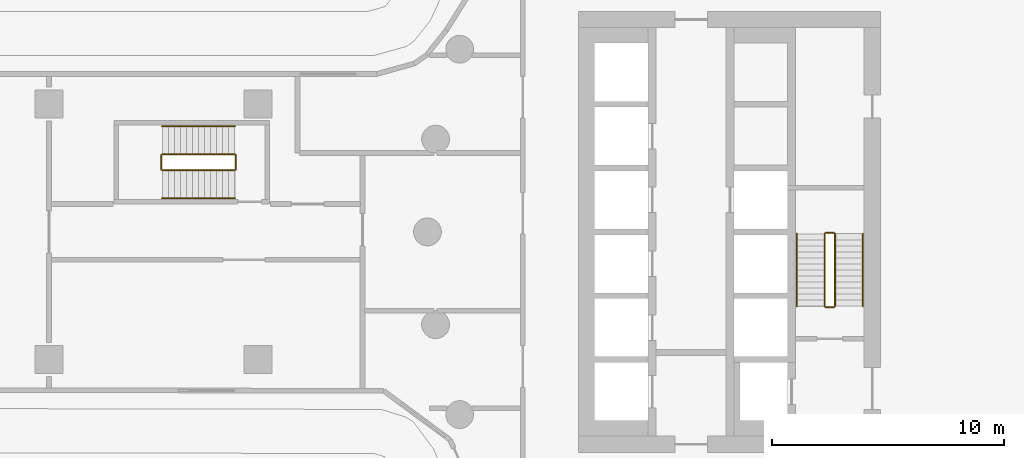
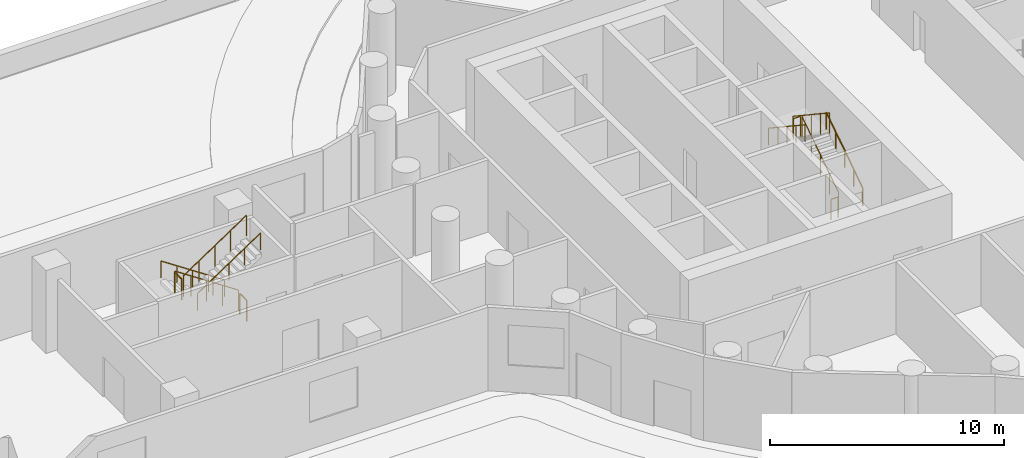
# One storey, part 32 of 37: 12 railings.
"""IFC4 building model written with IfcOpenShell, lengths in metres."""

from ifc_helpers import new_model, si_unit, direction, frame, origin, origin_2d, place, context, subcontext, project, spatial, circle, extrude, material, type_object, element, save


model = new_model("IFC4")

# Units and contexts
model_context = context("Model", 3, precision=1e-05, world=origin(), true_north=direction((0.0, 1.0)))
body_context = subcontext(model_context, "Body", "Model", "MODEL_VIEW")
ifc_project = project(units=[si_unit("LENGTHUNIT", "METRE"), si_unit("AREAUNIT", "SQUARE_METRE"), si_unit("VOLUMEUNIT", "CUBIC_METRE"), si_unit("PLANEANGLEUNIT", "RADIAN"), si_unit("MASSUNIT", "GRAM", prefix="KILO")], contexts=[model_context])

# Site, building, storey
site_placement = place(None, origin())
site = spatial("IfcSite", under=ifc_project, at=site_placement, CompositionType="ELEMENT")
building_placement = place(site_placement, origin())
building = spatial("IfcBuilding", under=site, at=building_placement, Name="Tamarind Cross Interchange Tower", CompositionType="ELEMENT")
storey_placement = place(building_placement, frame((0.0, 0.0, 29.5)))
storey = spatial("IfcBuildingStorey", under=building, at=storey_placement, Name="L05", CompositionType="ELEMENT", Elevation=29.5)

# Railings
ifc_material_1 = material(Name="Stair guard")
railing_type_1 = type_object("IfcRailingType", Name="Stair guard", PredefinedType="GUARDRAIL", material=ifc_material_1)
railing_1_placement = place(storey_placement, frame((-5.449951171875, -3.199951171875, 0.173095703125)))
element("IfcRailing", 1, at=railing_1_placement, inside=storey, type_object=railing_type_1, Name="L05 ST1 stair guard 1", PredefinedType="GUARDRAIL", context=body_context, shape_type="SweptSolid", body=[
    extrude(circle(Radius=0.02392578125, at=origin_2d()), frame((0.0, 0.0, 1.076171875), z_axis=(0.0, 0.832420903958, 0.554143879018), x_axis=(-1.0, 0.0, 0.0)), (0.0, 0.0, 1.0), 3.748046875),
    extrude(circle(Radius=0.02099609375, at=origin_2d()), origin(), (0.0, 0.0, 1.0), 1.052001953125),
    extrude(circle(Radius=0.02099609375, at=origin_2d()), frame((0.0, 0.780029296875, 0.519287109375)), (0.0, 0.0, 1.0), 1.052001953125),
    extrude(circle(Radius=0.02099609375, at=origin_2d()), frame((0.0, 1.56005859375, 1.03857421875)), (0.0, 0.0, 1.0), 1.052001953125),
    extrude(circle(Radius=0.02099609375, at=origin_2d()), frame((0.0, 2.33984375, 1.5576171875)), (0.0, 0.0, 1.0), 1.052001953125),
    extrude(circle(Radius=0.02099609375, at=origin_2d()), frame((0.0, 3.119873046875, 2.076904296875)), (0.0, 0.0, 1.0), 1.052001953125),
])
railing_2_placement = place(storey_placement, frame((-5.5, -0.030029296875, 2.25)))
element("IfcRailing", 2, at=railing_2_placement, inside=storey, type_object=railing_type_1, Name="L05 ST1 stair guard 2", PredefinedType="GUARDRAIL", context=body_context, shape_type="SweptSolid", body=[
    extrude(circle(Radius=0.02392578125, at=origin_2d()), frame((0.0, 0.0, 1.076171875), z_axis=(-1.0, 0.0, 0.0), x_axis=(0.0, -1.0, 0.0)), (0.0, 0.0, 1.0), 0.35009765625),
    extrude(circle(Radius=0.02099609375, at=origin_2d()), origin(), (0.0, 0.0, 1.0), 1.052001953125),
    extrude(circle(Radius=0.02099609375, at=origin_2d()), frame((-0.35009765625, 0.0, 0.0)), (0.0, 0.0, 1.0), 1.052001953125),
])
railing_3_placement = place(storey_placement, frame((-5.89990234375, -0.080078125, 2.423095703125)))
element("IfcRailing", 3, at=railing_3_placement, inside=storey, type_object=railing_type_1, Name="L05 ST1 stair guard 3", PredefinedType="GUARDRAIL", context=body_context, shape_type="SweptSolid", body=[
    extrude(circle(Radius=0.02392578125, at=origin_2d()), frame((0.0, 0.0, 1.076171875), z_axis=(0.0, -0.832420903958, 0.554143879018), x_axis=(1.0, 0.0, 0.0)), (0.0, 0.0, 1.0), 3.748046875),
    extrude(circle(Radius=0.02099609375, at=origin_2d()), origin(), (0.0, 0.0, 1.0), 1.052001953125),
    extrude(circle(Radius=0.02099609375, at=origin_2d()), frame((0.0, -0.780029296875, 0.519287109375)), (0.0, 0.0, 1.0), 1.052001953125),
    extrude(circle(Radius=0.02099609375, at=origin_2d()), frame((0.0, -1.56005859375, 1.03857421875)), (0.0, 0.0, 1.0), 1.052001953125),
    extrude(circle(Radius=0.02099609375, at=origin_2d()), frame((0.0, -2.33984375, 1.5576171875)), (0.0, 0.0, 1.0), 1.052001953125),
    extrude(circle(Radius=0.02099609375, at=origin_2d()), frame((0.0, -3.119873046875, 2.076904296875)), (0.0, 0.0, 1.0), 1.052001953125),
])
railing_4_placement = place(storey_placement, frame((-5.5, -3.25, 0.0)))
element("IfcRailing", 4, at=railing_4_placement, inside=storey, type_object=railing_type_1, Name="L05 ST1 stair guard 4", PredefinedType="GUARDRAIL", context=body_context, shape_type="SweptSolid", body=[
    extrude(circle(Radius=0.02392578125, at=origin_2d()), frame((0.0, 0.0, 1.076171875), z_axis=(-1.0, 0.0, 0.0), x_axis=(0.0, -1.0, 0.0)), (0.0, 0.0, 1.0), 0.35009765625),
    extrude(circle(Radius=0.02099609375, at=origin_2d()), origin(), (0.0, 0.0, 1.0), 1.052001953125),
    extrude(circle(Radius=0.02099609375, at=origin_2d()), frame((-0.35009765625, 0.0, 0.0)), (0.0, 0.0, 1.0), 1.052001953125),
])
railing_5_placement = place(storey_placement, frame((-31.300048828125, 3.35009765625, 0.173095703125)))
element("IfcRailing", 5, at=railing_5_placement, inside=storey, type_object=railing_type_1, Name="L05 ST5 stair guard 1", PredefinedType="GUARDRAIL", context=body_context, shape_type="SweptSolid", body=[
    extrude(circle(Radius=0.02392578125, at=origin_2d()), frame((0.0, 0.0, 1.076171875), z_axis=(-0.832420903958, 0.0, 0.554143879018), x_axis=(0.0, -1.0, 0.0)), (0.0, 0.0, 1.0), 3.748046875),
    extrude(circle(Radius=0.02099609375, at=origin_2d()), origin(), (0.0, 0.0, 1.0), 1.052001953125),
    extrude(circle(Radius=0.02099609375, at=origin_2d()), frame((-0.780029296875, 0.0, 0.519287109375)), (0.0, 0.0, 1.0), 1.052001953125),
    extrude(circle(Radius=0.02099609375, at=origin_2d()), frame((-1.56005859375, 0.0, 1.03857421875)), (0.0, 0.0, 1.0), 1.052001953125),
    extrude(circle(Radius=0.02099609375, at=origin_2d()), frame((-2.33984375, 0.0, 1.5576171875)), (0.0, 0.0, 1.0), 1.052001953125),
    extrude(circle(Radius=0.02099609375, at=origin_2d()), frame((-3.119873046875, 0.0, 2.076904296875)), (0.0, 0.0, 1.0), 1.052001953125),
])
railing_6_placement = place(storey_placement, frame((-34.469970703125, 3.300048828125, 2.25)))
element("IfcRailing", 6, at=railing_6_placement, inside=storey, type_object=railing_type_1, Name="L05 ST5 stair guard 2", PredefinedType="GUARDRAIL", context=body_context, shape_type="SweptSolid", body=[
    extrude(circle(Radius=0.02392578125, at=origin_2d()), frame((0.0, 0.0, 1.076171875), z_axis=(0.0, -1.0, 0.0), x_axis=(1.0, 0.0, 0.0)), (0.0, 0.0, 1.0), 0.60009765625),
    extrude(circle(Radius=0.02099609375, at=origin_2d()), origin(), (0.0, 0.0, 1.0), 1.052001953125),
    extrude(circle(Radius=0.02099609375, at=origin_2d()), frame((0.0, -0.60009765625, 0.0)), (0.0, 0.0, 1.0), 1.052001953125),
])
railing_7_placement = place(storey_placement, frame((-34.419921875, 2.64990234375, 2.423095703125)))
element("IfcRailing", 7, at=railing_7_placement, inside=storey, type_object=railing_type_1, Name="L05 ST5 stair guard 3", PredefinedType="GUARDRAIL", context=body_context, shape_type="SweptSolid", body=[
    extrude(circle(Radius=0.02392578125, at=origin_2d()), frame((0.0, 0.0, 1.076171875), z_axis=(0.832420903958, 0.0, 0.554143879018), x_axis=(0.0, 1.0, 0.0)), (0.0, 0.0, 1.0), 3.748046875),
    extrude(circle(Radius=0.02099609375, at=origin_2d()), origin(), (0.0, 0.0, 1.0), 1.052001953125),
    extrude(circle(Radius=0.02099609375, at=origin_2d()), frame((0.780029296875, 0.0, 0.519287109375)), (0.0, 0.0, 1.0), 1.052001953125),
    extrude(circle(Radius=0.02099609375, at=origin_2d()), frame((1.56005859375, 0.0, 1.03857421875)), (0.0, 0.0, 1.0), 1.052001953125),
    extrude(circle(Radius=0.02099609375, at=origin_2d()), frame((2.33984375, 0.0, 1.5576171875)), (0.0, 0.0, 1.0), 1.052001953125),
    extrude(circle(Radius=0.02099609375, at=origin_2d()), frame((3.119873046875, 0.0, 2.076904296875)), (0.0, 0.0, 1.0), 1.052001953125),
])
railing_8_placement = place(storey_placement, frame((-31.25, 3.300048828125, 0.0)))
element("IfcRailing", 8, at=railing_8_placement, inside=storey, type_object=railing_type_1, Name="L05 ST5 stair guard 4", PredefinedType="GUARDRAIL", context=body_context, shape_type="SweptSolid", body=[
    extrude(circle(Radius=0.02392578125, at=origin_2d()), frame((0.0, 0.0, 1.076171875), z_axis=(0.0, -1.0, 0.0), x_axis=(1.0, 0.0, 0.0)), (0.0, 0.0, 1.0), 0.60009765625),
    extrude(circle(Radius=0.02099609375, at=origin_2d()), origin(), (0.0, 0.0, 1.0), 1.052001953125),
    extrude(circle(Radius=0.02099609375, at=origin_2d()), frame((0.0, -0.60009765625, 0.0)), (0.0, 0.0, 1.0), 1.052001953125),
])
ifc_material_2 = material(Name="Stair handrail")
railing_type_2 = type_object("IfcRailingType", Name="Stair handrail", PredefinedType="HANDRAIL", material=ifc_material_2)
railing_9_placement = place(storey_placement, frame((-4.25, -3.199951171875, 0.173095703125)))
element("IfcRailing", 9, at=railing_9_placement, inside=storey, type_object=railing_type_2, Name="L05 ST1 stair handrail 1", PredefinedType="HANDRAIL", context=body_context, shape_type="SweptSolid", body=[
    extrude(circle(Radius=0.02392578125, at=origin_2d()), frame((0.0, 0.0, 0.8759765625), z_axis=(0.0, 0.832420903958, 0.554143879018), x_axis=(-1.0, 0.0, 0.0)), (0.0, 0.0, 1.0), 3.748046875),
    extrude(circle(Radius=0.02099609375, at=origin_2d()), origin(), (0.0, 0.0, 1.0), 0.851806640625),
    extrude(circle(Radius=0.02099609375, at=origin_2d()), frame((0.0, 0.780029296875, 0.519287109375)), (0.0, 0.0, 1.0), 0.851806640625),
    extrude(circle(Radius=0.02099609375, at=origin_2d()), frame((0.0, 1.56005859375, 1.03857421875)), (0.0, 0.0, 1.0), 0.851806640625),
    extrude(circle(Radius=0.02099609375, at=origin_2d()), frame((0.0, 2.33984375, 1.5576171875)), (0.0, 0.0, 1.0), 0.851806640625),
    extrude(circle(Radius=0.02099609375, at=origin_2d()), frame((0.0, 3.119873046875, 2.076904296875)), (0.0, 0.0, 1.0), 0.851806640625),
])
railing_10_placement = place(storey_placement, frame((-7.10009765625, -0.080078125, 2.423095703125)))
element("IfcRailing", 10, at=railing_10_placement, inside=storey, type_object=railing_type_2, Name="L05 ST1 stair handrail 2", PredefinedType="HANDRAIL", context=body_context, shape_type="SweptSolid", body=[
    extrude(circle(Radius=0.02392578125, at=origin_2d()), frame((0.0, 0.0, 0.8759765625), z_axis=(0.0, -0.832420903958, 0.554143879018), x_axis=(1.0, 0.0, 0.0)), (0.0, 0.0, 1.0), 3.748046875),
    extrude(circle(Radius=0.02099609375, at=origin_2d()), origin(), (0.0, 0.0, 1.0), 0.851806640625),
    extrude(circle(Radius=0.02099609375, at=origin_2d()), frame((0.0, -0.780029296875, 0.519287109375)), (0.0, 0.0, 1.0), 0.851806640625),
    extrude(circle(Radius=0.02099609375, at=origin_2d()), frame((0.0, -1.56005859375, 1.03857421875)), (0.0, 0.0, 1.0), 0.851806640625),
    extrude(circle(Radius=0.02099609375, at=origin_2d()), frame((0.0, -2.33984375, 1.5576171875)), (0.0, 0.0, 1.0), 0.851806640625),
    extrude(circle(Radius=0.02099609375, at=origin_2d()), frame((0.0, -3.119873046875, 2.076904296875)), (0.0, 0.0, 1.0), 0.851806640625),
])
railing_11_placement = place(storey_placement, frame((-31.300048828125, 4.550048828125, 0.173095703125)))
element("IfcRailing", 11, at=railing_11_placement, inside=storey, type_object=railing_type_2, Name="L05 ST5 stair handrail 1", PredefinedType="HANDRAIL", context=body_context, shape_type="SweptSolid", body=[
    extrude(circle(Radius=0.02392578125, at=origin_2d()), frame((0.0, 0.0, 0.8759765625), z_axis=(-0.832420903958, 0.0, 0.554143879018), x_axis=(0.0, -1.0, 0.0)), (0.0, 0.0, 1.0), 3.748046875),
    extrude(circle(Radius=0.02099609375, at=origin_2d()), origin(), (0.0, 0.0, 1.0), 0.851806640625),
    extrude(circle(Radius=0.02099609375, at=origin_2d()), frame((-0.780029296875, 0.0, 0.519287109375)), (0.0, 0.0, 1.0), 0.851806640625),
    extrude(circle(Radius=0.02099609375, at=origin_2d()), frame((-1.56005859375, 0.0, 1.03857421875)), (0.0, 0.0, 1.0), 0.851806640625),
    extrude(circle(Radius=0.02099609375, at=origin_2d()), frame((-2.33984375, 0.0, 1.5576171875)), (0.0, 0.0, 1.0), 0.851806640625),
    extrude(circle(Radius=0.02099609375, at=origin_2d()), frame((-3.119873046875, 0.0, 2.076904296875)), (0.0, 0.0, 1.0), 0.851806640625),
])
railing_12_placement = place(storey_placement, frame((-34.419921875, 1.449951171875, 2.423095703125)))
element("IfcRailing", 12, at=railing_12_placement, inside=storey, type_object=railing_type_2, Name="L05 ST5 stair handrail 2", PredefinedType="HANDRAIL", context=body_context, shape_type="SweptSolid", body=[
    extrude(circle(Radius=0.02392578125, at=origin_2d()), frame((0.0, 0.0, 0.8759765625), z_axis=(0.832420903958, 0.0, 0.554143879018), x_axis=(0.0, 1.0, 0.0)), (0.0, 0.0, 1.0), 3.748046875),
    extrude(circle(Radius=0.02099609375, at=origin_2d()), origin(), (0.0, 0.0, 1.0), 0.851806640625),
    extrude(circle(Radius=0.02099609375, at=origin_2d()), frame((0.780029296875, 0.0, 0.519287109375)), (0.0, 0.0, 1.0), 0.851806640625),
    extrude(circle(Radius=0.02099609375, at=origin_2d()), frame((1.56005859375, 0.0, 1.03857421875)), (0.0, 0.0, 1.0), 0.851806640625),
    extrude(circle(Radius=0.02099609375, at=origin_2d()), frame((2.33984375, 0.0, 1.5576171875)), (0.0, 0.0, 1.0), 0.851806640625),
    extrude(circle(Radius=0.02099609375, at=origin_2d()), frame((3.119873046875, 0.0, 2.076904296875)), (0.0, 0.0, 1.0), 0.851806640625),
])

save(model, "model.ifc")
